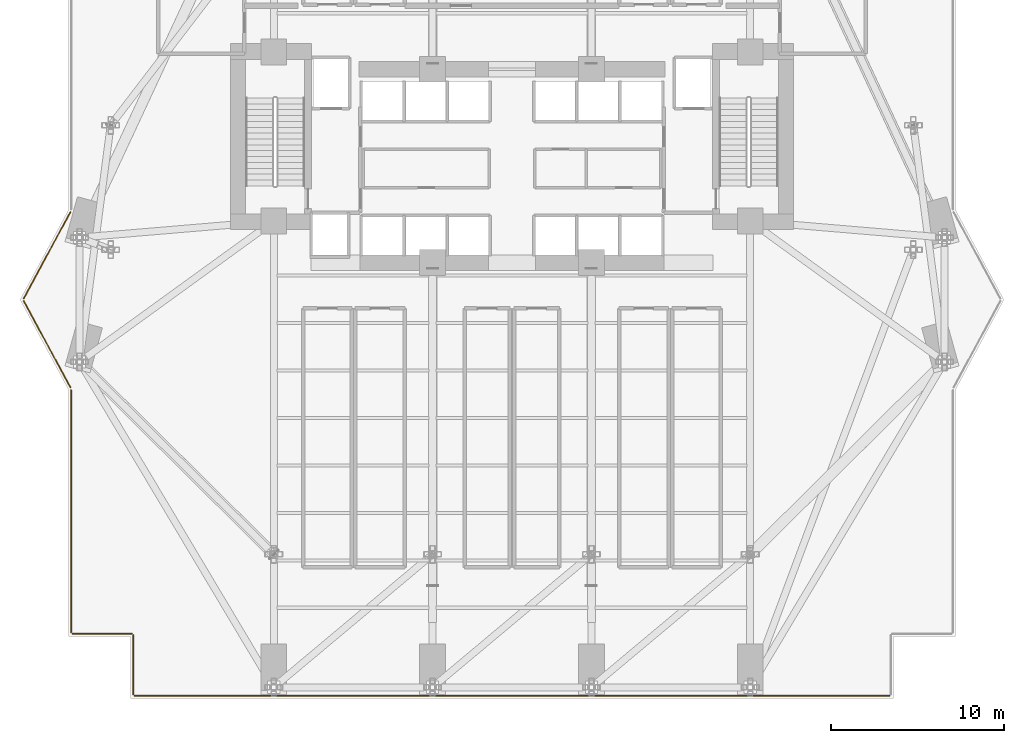
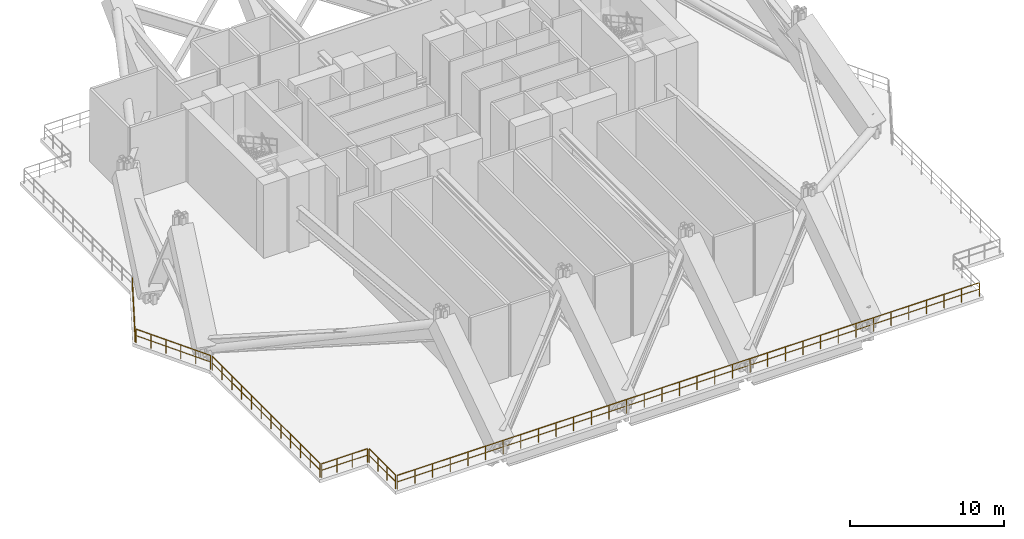
# One storey, part 16 of 21: 6 railings.
"""IFC4 building model written with IfcOpenShell, lengths in metres."""

from ifc_helpers import new_model, si_unit, direction, frame, origin, origin_2d, place, context, subcontext, project, spatial, rectangle, extrude, material, type_object, element, save


model = new_model("IFC4")

# Units and contexts
model_context = context("Model", 3, precision=1e-05, world=origin(), true_north=direction((0.0, 1.0)))
body_context = subcontext(model_context, "Body", "Model", "MODEL_VIEW")
ifc_project = project(units=[si_unit("LENGTHUNIT", "METRE"), si_unit("AREAUNIT", "SQUARE_METRE"), si_unit("VOLUMEUNIT", "CUBIC_METRE"), si_unit("PLANEANGLEUNIT", "RADIAN"), si_unit("MASSUNIT", "GRAM", prefix="KILO")], contexts=[model_context])

# Site, building, storey
site_placement = place(None, origin())
site = spatial("IfcSite", under=ifc_project, at=site_placement, CompositionType="ELEMENT")
building_placement = place(site_placement, origin())
building = spatial("IfcBuilding", under=site, at=building_placement, Name="Zuhayl Quay Hotel", CompositionType="ELEMENT")
storey_placement = place(building_placement, frame((0.0, 0.0, 89.64990234375)))
storey = spatial("IfcBuildingStorey", under=building, at=storey_placement, Name="L22", CompositionType="ELEMENT", Elevation=89.64990234375)

# Railings
ifc_material = material(Name="Anodised Aluminium and Laminated Glass", Category="aluminium")
railing_type = type_object("IfcRailingType", Name="RL_EXT_BAL_1100", PredefinedType="BALUSTRADE", material=ifc_material)
railing_1_placement = place(storey_placement, frame((-21.93994140625, -22.860107421875, 0.0)))
element("IfcRailing", 1, at=railing_1_placement, inside=storey, type_object=railing_type, Name="L22 Balcony and Terrace Guard GR_WIND_L22_01", PredefinedType="BALUSTRADE", context=body_context, shape_type="SweptSolid", body=[
    extrude(rectangle(XDim=0.048095703125, YDim=0.048095703125, at=origin_2d()), frame((0.0, 0.0, 1.09619140625), z_axis=(0.0, 1.0, 0.0), x_axis=(-1.0, 0.0, 0.0)), (0.0, 0.0, 1.0), 3.440185546875),
    extrude(rectangle(XDim=0.0361328125, YDim=0.0361328125, at=origin_2d()), frame((0.0, 0.0, 0.58251953125), z_axis=(0.0, 1.0, 0.0), x_axis=(-1.0, 0.0, 0.0)), (0.0, 0.0, 1.0), 3.440185546875),
    extrude(rectangle(XDim=0.0419921875, YDim=0.0419921875, at=origin_2d()), origin(), (0.0, 0.0, 1.0), 1.072021484375),
    extrude(rectangle(XDim=0.0419921875, YDim=0.0419921875, at=origin_2d()), frame((0.0, 1.146728515625, 0.0)), (0.0, 0.0, 1.0), 1.072021484375),
    extrude(rectangle(XDim=0.0419921875, YDim=0.0419921875, at=origin_2d()), frame((0.0, 2.29345703125, 0.0)), (0.0, 0.0, 1.0), 1.072021484375),
    extrude(rectangle(XDim=0.0419921875, YDim=0.0419921875, at=origin_2d()), frame((0.0, 3.440185546875, 0.0)), (0.0, 0.0, 1.0), 1.072021484375),
])
railing_2_placement = place(storey_placement, frame((-22.02001953125, -19.340087890625, 0.0)))
element("IfcRailing", 2, at=railing_2_placement, inside=storey, type_object=railing_type, Name="L22 Balcony and Terrace Guard GR_WIND_L22_02", PredefinedType="BALUSTRADE", context=body_context, shape_type="SweptSolid", body=[
    extrude(rectangle(XDim=0.048095703125, YDim=0.048095703125, at=origin_2d()), frame((0.0, 0.0, 1.09619140625), z_axis=(-1.0, 0.0, 0.0), x_axis=(0.0, -1.0, 0.0)), (0.0, 0.0, 1.0), 3.43994140625),
    extrude(rectangle(XDim=0.0361328125, YDim=0.0361328125, at=origin_2d()), frame((0.0, 0.0, 0.58251953125), z_axis=(-1.0, 0.0, 0.0), x_axis=(0.0, -1.0, 0.0)), (0.0, 0.0, 1.0), 3.43994140625),
    extrude(rectangle(XDim=0.0419921875, YDim=0.0419921875, at=origin_2d()), origin(), (0.0, 0.0, 1.0), 1.072021484375),
    extrude(rectangle(XDim=0.0419921875, YDim=0.0419921875, at=origin_2d()), frame((-1.146728515625, 0.0, 0.0)), (0.0, 0.0, 1.0), 1.072021484375),
    extrude(rectangle(XDim=0.0419921875, YDim=0.0419921875, at=origin_2d()), frame((-2.293212890625, 0.0, 0.0)), (0.0, 0.0, 1.0), 1.072021484375),
    extrude(rectangle(XDim=0.0419921875, YDim=0.0419921875, at=origin_2d()), frame((-3.43994140625, 0.0, 0.0)), (0.0, 0.0, 1.0), 1.072021484375),
])
railing_3_placement = place(storey_placement, frame((-25.5400390625, -19.260009765625, 0.0)))
element("IfcRailing", 3, at=railing_3_placement, inside=storey, type_object=railing_type, Name="L22 Balcony and Terrace Guard GR_WIND_L22_03", PredefinedType="BALUSTRADE", context=body_context, shape_type="SweptSolid", body=[
    extrude(rectangle(XDim=0.048095703125, YDim=0.048095703125, at=origin_2d()), frame((0.0, 0.0, 1.09619140625), z_axis=(0.0, 1.0, 0.0), x_axis=(-1.0, 0.0, 0.0)), (0.0, 0.0, 1.0), 14.020263671875),
    extrude(rectangle(XDim=0.0361328125, YDim=0.0361328125, at=origin_2d()), frame((0.0, 0.0, 0.58251953125), z_axis=(0.0, 1.0, 0.0), x_axis=(-1.0, 0.0, 0.0)), (0.0, 0.0, 1.0), 14.020263671875),
    extrude(rectangle(XDim=0.0419921875, YDim=0.0419921875, at=origin_2d()), origin(), (0.0, 0.0, 1.0), 1.072021484375),
    extrude(rectangle(XDim=0.0419921875, YDim=0.0419921875, at=origin_2d()), frame((0.0, 1.274658203125, 0.0)), (0.0, 0.0, 1.0), 1.072021484375),
    extrude(rectangle(XDim=0.0419921875, YDim=0.0419921875, at=origin_2d()), frame((0.0, 2.549072265625, 0.0)), (0.0, 0.0, 1.0), 1.072021484375),
    extrude(rectangle(XDim=0.0419921875, YDim=0.0419921875, at=origin_2d()), frame((0.0, 3.82373046875, 0.0)), (0.0, 0.0, 1.0), 1.072021484375),
    extrude(rectangle(XDim=0.0419921875, YDim=0.0419921875, at=origin_2d()), frame((0.0, 5.098388671875, 0.0)), (0.0, 0.0, 1.0), 1.072021484375),
    extrude(rectangle(XDim=0.0419921875, YDim=0.0419921875, at=origin_2d()), frame((0.0, 6.372802734375, 0.0)), (0.0, 0.0, 1.0), 1.072021484375),
    extrude(rectangle(XDim=0.0419921875, YDim=0.0419921875, at=origin_2d()), frame((0.0, 7.6474609375, 0.0)), (0.0, 0.0, 1.0), 1.072021484375),
    extrude(rectangle(XDim=0.0419921875, YDim=0.0419921875, at=origin_2d()), frame((0.0, 8.921875, 0.0)), (0.0, 0.0, 1.0), 1.072021484375),
    extrude(rectangle(XDim=0.0419921875, YDim=0.0419921875, at=origin_2d()), frame((0.0, 10.196533203125, 0.0)), (0.0, 0.0, 1.0), 1.072021484375),
    extrude(rectangle(XDim=0.0419921875, YDim=0.0419921875, at=origin_2d()), frame((0.0, 11.47119140625, 0.0)), (0.0, 0.0, 1.0), 1.072021484375),
    extrude(rectangle(XDim=0.0419921875, YDim=0.0419921875, at=origin_2d()), frame((0.0, 12.74560546875, 0.0)), (0.0, 0.0, 1.0), 1.072021484375),
    extrude(rectangle(XDim=0.0419921875, YDim=0.0419921875, at=origin_2d()), frame((0.0, 14.020263671875, 0.0)), (0.0, 0.0, 1.0), 1.072021484375),
])
railing_4_placement = place(storey_placement, frame((-25.577880859375, -5.089111328125, 0.0)))
element("IfcRailing", 4, at=railing_4_placement, inside=storey, type_object=railing_type, Name="L22 Balcony and Terrace Guard GR_WIND_L22_04", PredefinedType="BALUSTRADE", context=body_context, shape_type="SweptSolid", body=[
    extrude(rectangle(XDim=0.048095703125, YDim=0.048095703125, at=origin_2d()), frame((0.0, 0.0, 1.09619140625), z_axis=(-0.474127917691, 0.880455971452, 0.0), x_axis=(-0.880455971452, -0.474127917691, 0.0)), (0.0, 0.0, 1.0), 5.7001953125),
    extrude(rectangle(XDim=0.0361328125, YDim=0.0361328125, at=origin_2d()), frame((0.0, 0.0, 0.58251953125), z_axis=(-0.474127917691, 0.880455971452, 0.0), x_axis=(-0.880455971452, -0.474127917691, 0.0)), (0.0, 0.0, 1.0), 5.7001953125),
    extrude(rectangle(XDim=0.0419921875, YDim=0.0419921875, at=origin_2d()), origin(), (0.0, 0.0, 1.0), 1.072021484375),
    extrude(rectangle(XDim=0.0419921875, YDim=0.0419921875, at=origin_2d()), frame((-0.54052734375, 1.003662109375, 0.0)), (0.0, 0.0, 1.0), 1.072021484375),
    extrude(rectangle(XDim=0.0419921875, YDim=0.0419921875, at=origin_2d()), frame((-1.0810546875, 2.007568359375, 0.0)), (0.0, 0.0, 1.0), 1.072021484375),
    extrude(rectangle(XDim=0.0419921875, YDim=0.0419921875, at=origin_2d()), frame((-1.62158203125, 3.01123046875, 0.0)), (0.0, 0.0, 1.0), 1.072021484375),
    extrude(rectangle(XDim=0.0419921875, YDim=0.0419921875, at=origin_2d()), frame((-2.162109375, 4.01513671875, 0.0)), (0.0, 0.0, 1.0), 1.072021484375),
    extrude(rectangle(XDim=0.0419921875, YDim=0.0419921875, at=origin_2d()), frame((-2.70263671875, 5.018798828125, 0.0)), (0.0, 0.0, 1.0), 1.072021484375),
])
railing_5_placement = place(storey_placement, frame((-28.280517578125, 0.0703125, 0.0)))
element("IfcRailing", 5, at=railing_5_placement, inside=storey, type_object=railing_type, Name="L22 Balcony and Terrace Guard GR_WIND_L22_05", PredefinedType="BALUSTRADE", context=body_context, shape_type="SweptSolid", body=[
    extrude(rectangle(XDim=0.048095703125, YDim=0.048095703125, at=origin_2d()), frame((0.0, 0.0, 1.09619140625), z_axis=(0.474127917691, 0.880455971452, 0.0), x_axis=(-0.880455971452, 0.474127917691, 0.0)), (0.0, 0.0, 1.0), 5.7001953125),
    extrude(rectangle(XDim=0.0361328125, YDim=0.0361328125, at=origin_2d()), frame((0.0, 0.0, 0.58251953125), z_axis=(0.474127917691, 0.880455971452, 0.0), x_axis=(-0.880455971452, 0.474127917691, 0.0)), (0.0, 0.0, 1.0), 5.7001953125),
    extrude(rectangle(XDim=0.0419921875, YDim=0.0419921875, at=origin_2d()), origin(), (0.0, 0.0, 1.0), 1.072021484375),
    extrude(rectangle(XDim=0.0419921875, YDim=0.0419921875, at=origin_2d()), frame((0.54052734375, 1.003662109375, 0.0)), (0.0, 0.0, 1.0), 1.072021484375),
    extrude(rectangle(XDim=0.0419921875, YDim=0.0419921875, at=origin_2d()), frame((1.0810546875, 2.007568359375, 0.0)), (0.0, 0.0, 1.0), 1.072021484375),
    extrude(rectangle(XDim=0.0419921875, YDim=0.0419921875, at=origin_2d()), frame((1.62158203125, 3.01123046875, 0.0)), (0.0, 0.0, 1.0), 1.072021484375),
    extrude(rectangle(XDim=0.0419921875, YDim=0.0419921875, at=origin_2d()), frame((2.162109375, 4.01513671875, 0.0)), (0.0, 0.0, 1.0), 1.072021484375),
    extrude(rectangle(XDim=0.0419921875, YDim=0.0419921875, at=origin_2d()), frame((2.70263671875, 5.018798828125, 0.0)), (0.0, 0.0, 1.0), 1.072021484375),
])
railing_6_placement = place(storey_placement, frame((21.860107421875, -22.93994140625, 0.0)))
element("IfcRailing", 6, at=railing_6_placement, inside=storey, type_object=railing_type, Name="L22 Balcony and Terrace Guard GR_WIND_L22_18", PredefinedType="BALUSTRADE", context=body_context, shape_type="SweptSolid", body=[
    extrude(rectangle(XDim=0.048095703125, YDim=0.048095703125, at=origin_2d()), frame((0.0, 0.0, 1.09619140625), z_axis=(-1.0, 0.0, 0.0), x_axis=(0.0, -1.0, 0.0)), (0.0, 0.0, 1.0), 43.72021484375),
    extrude(rectangle(XDim=0.0361328125, YDim=0.0361328125, at=origin_2d()), frame((0.0, 0.0, 0.58251953125), z_axis=(-1.0, 0.0, 0.0), x_axis=(0.0, -1.0, 0.0)), (0.0, 0.0, 1.0), 43.72021484375),
    extrude(rectangle(XDim=0.0419921875, YDim=0.0419921875, at=origin_2d()), origin(), (0.0, 0.0, 1.0), 1.072021484375),
    extrude(rectangle(XDim=0.0419921875, YDim=0.0419921875, at=origin_2d()), frame((-1.324951171875, 0.0, 0.0)), (0.0, 0.0, 1.0), 1.072021484375),
    extrude(rectangle(XDim=0.0419921875, YDim=0.0419921875, at=origin_2d()), frame((-2.649658203125, 0.0, 0.0)), (0.0, 0.0, 1.0), 1.072021484375),
    extrude(rectangle(XDim=0.0419921875, YDim=0.0419921875, at=origin_2d()), frame((-3.974609375, 0.0, 0.0)), (0.0, 0.0, 1.0), 1.072021484375),
    extrude(rectangle(XDim=0.0419921875, YDim=0.0419921875, at=origin_2d()), frame((-5.29931640625, 0.0, 0.0)), (0.0, 0.0, 1.0), 1.072021484375),
    extrude(rectangle(XDim=0.0419921875, YDim=0.0419921875, at=origin_2d()), frame((-6.624267578125, 0.0, 0.0)), (0.0, 0.0, 1.0), 1.072021484375),
    extrude(rectangle(XDim=0.0419921875, YDim=0.0419921875, at=origin_2d()), frame((-7.94921875, 0.0, 0.0)), (0.0, 0.0, 1.0), 1.072021484375),
    extrude(rectangle(XDim=0.0419921875, YDim=0.0419921875, at=origin_2d()), frame((-9.27392578125, 0.0, 0.0)), (0.0, 0.0, 1.0), 1.072021484375),
    extrude(rectangle(XDim=0.0419921875, YDim=0.0419921875, at=origin_2d()), frame((-10.598876953125, 0.0, 0.0)), (0.0, 0.0, 1.0), 1.072021484375),
    extrude(rectangle(XDim=0.0419921875, YDim=0.0419921875, at=origin_2d()), frame((-11.923583984375, 0.0, 0.0)), (0.0, 0.0, 1.0), 1.072021484375),
    extrude(rectangle(XDim=0.0419921875, YDim=0.0419921875, at=origin_2d()), frame((-13.24853515625, 0.0, 0.0)), (0.0, 0.0, 1.0), 1.072021484375),
    extrude(rectangle(XDim=0.0419921875, YDim=0.0419921875, at=origin_2d()), frame((-14.573486328125, 0.0, 0.0)), (0.0, 0.0, 1.0), 1.072021484375),
    extrude(rectangle(XDim=0.0419921875, YDim=0.0419921875, at=origin_2d()), frame((-15.898193359375, 0.0, 0.0)), (0.0, 0.0, 1.0), 1.072021484375),
    extrude(rectangle(XDim=0.0419921875, YDim=0.0419921875, at=origin_2d()), frame((-17.22314453125, 0.0, 0.0)), (0.0, 0.0, 1.0), 1.072021484375),
    extrude(rectangle(XDim=0.0419921875, YDim=0.0419921875, at=origin_2d()), frame((-18.5478515625, 0.0, 0.0)), (0.0, 0.0, 1.0), 1.072021484375),
    extrude(rectangle(XDim=0.0419921875, YDim=0.0419921875, at=origin_2d()), frame((-19.872802734375, 0.0, 0.0)), (0.0, 0.0, 1.0), 1.072021484375),
    extrude(rectangle(XDim=0.0419921875, YDim=0.0419921875, at=origin_2d()), frame((-21.19775390625, 0.0, 0.0)), (0.0, 0.0, 1.0), 1.072021484375),
    extrude(rectangle(XDim=0.0419921875, YDim=0.0419921875, at=origin_2d()), frame((-22.5224609375, 0.0, 0.0)), (0.0, 0.0, 1.0), 1.072021484375),
    extrude(rectangle(XDim=0.0419921875, YDim=0.0419921875, at=origin_2d()), frame((-23.847412109375, 0.0, 0.0)), (0.0, 0.0, 1.0), 1.072021484375),
    extrude(rectangle(XDim=0.0419921875, YDim=0.0419921875, at=origin_2d()), frame((-25.17236328125, 0.0, 0.0)), (0.0, 0.0, 1.0), 1.072021484375),
    extrude(rectangle(XDim=0.0419921875, YDim=0.0419921875, at=origin_2d()), frame((-26.4970703125, 0.0, 0.0)), (0.0, 0.0, 1.0), 1.072021484375),
    extrude(rectangle(XDim=0.0419921875, YDim=0.0419921875, at=origin_2d()), frame((-27.822021484375, 0.0, 0.0)), (0.0, 0.0, 1.0), 1.072021484375),
    extrude(rectangle(XDim=0.0419921875, YDim=0.0419921875, at=origin_2d()), frame((-29.146728515625, 0.0, 0.0)), (0.0, 0.0, 1.0), 1.072021484375),
    extrude(rectangle(XDim=0.0419921875, YDim=0.0419921875, at=origin_2d()), frame((-30.4716796875, 0.0, 0.0)), (0.0, 0.0, 1.0), 1.072021484375),
    extrude(rectangle(XDim=0.0419921875, YDim=0.0419921875, at=origin_2d()), frame((-31.796630859375, 0.0, 0.0)), (0.0, 0.0, 1.0), 1.072021484375),
    extrude(rectangle(XDim=0.0419921875, YDim=0.0419921875, at=origin_2d()), frame((-33.121337890625, 0.0, 0.0)), (0.0, 0.0, 1.0), 1.072021484375),
    extrude(rectangle(XDim=0.0419921875, YDim=0.0419921875, at=origin_2d()), frame((-34.4462890625, 0.0, 0.0)), (0.0, 0.0, 1.0), 1.072021484375),
    extrude(rectangle(XDim=0.0419921875, YDim=0.0419921875, at=origin_2d()), frame((-35.77099609375, 0.0, 0.0)), (0.0, 0.0, 1.0), 1.072021484375),
    extrude(rectangle(XDim=0.0419921875, YDim=0.0419921875, at=origin_2d()), frame((-37.095947265625, 0.0, 0.0)), (0.0, 0.0, 1.0), 1.072021484375),
    extrude(rectangle(XDim=0.0419921875, YDim=0.0419921875, at=origin_2d()), frame((-38.4208984375, 0.0, 0.0)), (0.0, 0.0, 1.0), 1.072021484375),
    extrude(rectangle(XDim=0.0419921875, YDim=0.0419921875, at=origin_2d()), frame((-39.74560546875, 0.0, 0.0)), (0.0, 0.0, 1.0), 1.072021484375),
    extrude(rectangle(XDim=0.0419921875, YDim=0.0419921875, at=origin_2d()), frame((-41.070556640625, 0.0, 0.0)), (0.0, 0.0, 1.0), 1.072021484375),
    extrude(rectangle(XDim=0.0419921875, YDim=0.0419921875, at=origin_2d()), frame((-42.395263671875, 0.0, 0.0)), (0.0, 0.0, 1.0), 1.072021484375),
    extrude(rectangle(XDim=0.0419921875, YDim=0.0419921875, at=origin_2d()), frame((-43.72021484375, 0.0, 0.0)), (0.0, 0.0, 1.0), 1.072021484375),
])

save(model, "model.ifc")
